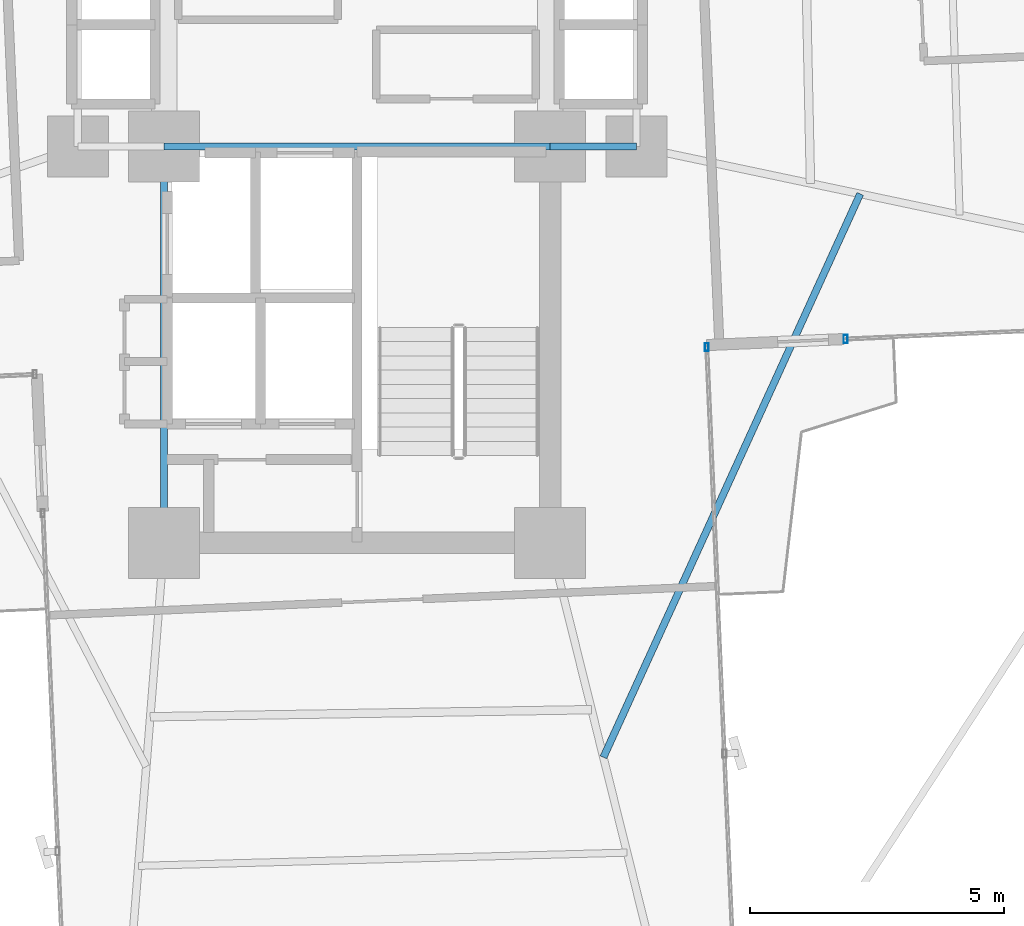
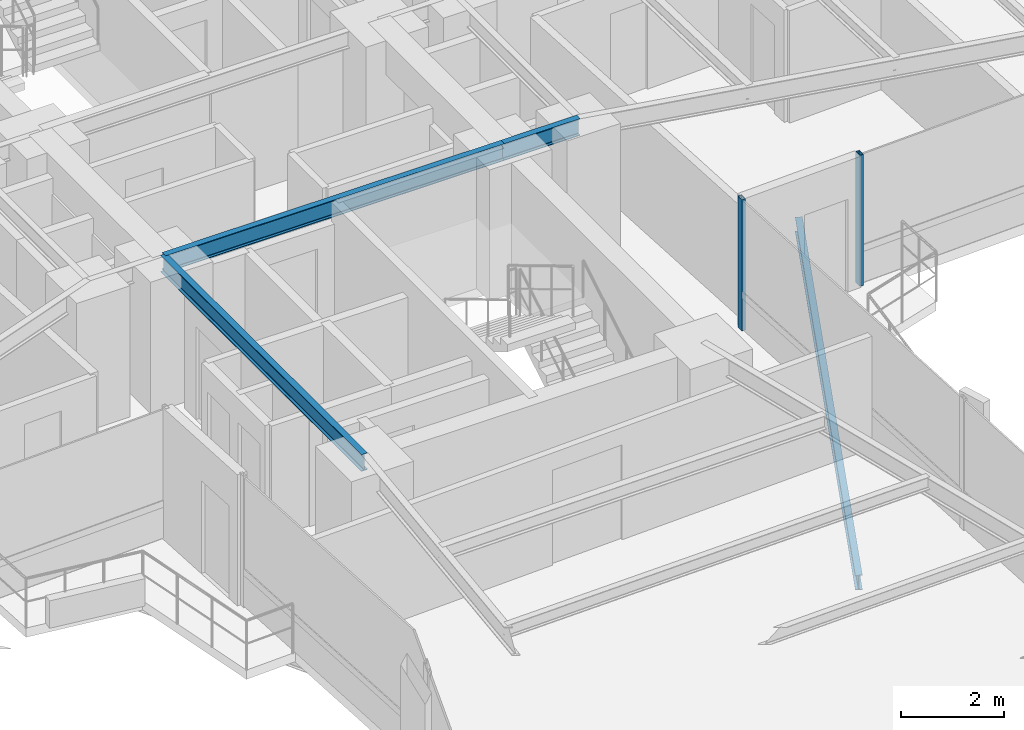
# One storey, part 11 of 26: 4 beams, 2 members, 2 elements without a shape of their own.
"""IFC4 building model written with IfcOpenShell, lengths in metres."""

from ifc_helpers import new_model, si_unit, direction, frame, origin, origin_2d, place, context, subcontext, project, spatial, hollow_rectangle, i_section, extrude, source, transform, mapped, material, material_profile, profile_set, type_object, element, aggregate, save


model = new_model("IFC4")

# Units and contexts
model_context = context("Model", 3, precision=1e-05, world=origin(), true_north=direction((0.0, 1.0)))
body_context = subcontext(model_context, "Body", "Model", "MODEL_VIEW")
ifc_project = project(units=[si_unit("LENGTHUNIT", "METRE"), si_unit("AREAUNIT", "SQUARE_METRE"), si_unit("VOLUMEUNIT", "CUBIC_METRE"), si_unit("PLANEANGLEUNIT", "RADIAN"), si_unit("MASSUNIT", "GRAM", prefix="KILO")], contexts=[model_context])

# Site, building, storey
site_placement = place(None, origin())
site = spatial("IfcSite", under=ifc_project, at=site_placement, CompositionType="ELEMENT")
building_placement = place(site_placement, origin())
building = spatial("IfcBuilding", under=site, at=building_placement, Name="Sahyath Konkavel Grand Hotel", CompositionType="ELEMENT")
storey_placement = place(building_placement, frame((0.0, 0.0, 131.550048828125)))
storey = spatial("IfcBuildingStorey", under=building, at=storey_placement, Name="L36", CompositionType="ELEMENT", Elevation=131.550048828125)

# Beams
ifc_material_1 = material(Name="Steel E350", Category="steel")
ifc_material_profile_1 = material_profile(ifc_material_1, i_section(OverallWidth=0.139892578125, OverallDepth=0.39990234375, WebThickness=0.0087890625, FlangeThickness=0.01611328125, FilletRadius=0.013916015625, at=origin_2d()), Name="ISMB 400")
ifc_profile_set_1 = profile_set([ifc_material_profile_1], Name="Steel E350")
beam_type_1 = type_object("IfcBeamType", Name="BM-ISMB400", PredefinedType="BEAM", material=ifc_profile_set_1)
shared_shape_1 = source(origin(), body_context, "Body", "SweptSolid", [
    extrude(i_section(OverallWidth=0.139892578125, OverallDepth=0.39990234375, WebThickness=0.0087890625, FlangeThickness=0.01611328125, FilletRadius=0.013916015625, at=origin_2d()), origin(), (0.0, 0.0, 1.0), 7.60009765625),
])
beam_1_placement = place(storey_placement, frame((-3.800048828125, -2.39990234375, 2.909912109375), z_axis=(1.0, 0.0, 0.0), x_axis=(0.0, 1.0, 0.0)))
element("IfcBeam", 1, at=beam_1_placement, inside=storey, type_object=beam_type_1, Name="str:bm:L36:SC-N", PredefinedType="BEAM", context=body_context, shape_type="MappedRepresentation", body=[
    mapped(shared_shape_1, transform((0.0, 0.0, 0.0), scale=1.0)),
])
shared_shape_2 = source(origin(), body_context, "Body", "SweptSolid", [
    extrude(i_section(OverallWidth=0.139892578125, OverallDepth=0.39990234375, WebThickness=0.0087890625, FlangeThickness=0.01611328125, FilletRadius=0.013916015625, at=origin_2d()), origin(), (0.0, 0.0, 1.0), 7.800048828125),
])
beam_2_placement = place(storey_placement, frame((-3.800048828125, -10.199951171875, 2.909912109375), z_axis=(0.0, 1.0, 0.0), x_axis=(-1.0, 0.0, 0.0)))
element("IfcBeam", 2, at=beam_2_placement, inside=storey, type_object=beam_type_1, Name="str:bm:L36:SC-W", PredefinedType="BEAM", context=body_context, shape_type="MappedRepresentation", body=[
    mapped(shared_shape_2, transform((0.0, 0.0, 0.0), scale=1.0)),
])
shared_shape_3 = source(origin(), body_context, "Body", "SweptSolid", [
    extrude(i_section(OverallWidth=0.139892578125, OverallDepth=0.39990234375, WebThickness=0.0087890625, FlangeThickness=0.01611328125, FilletRadius=0.013916015625, at=origin_2d()), origin(), (0.0, 0.0, 1.0), 1.699951171875),
])
beam_3_placement = place(storey_placement, frame((3.800048828125, -2.39990234375, 2.909912109375), z_axis=(1.0, 0.0, 0.0), x_axis=(0.0, 1.0, 0.0)))
element("IfcBeam", 3, at=beam_3_placement, inside=storey, type_object=beam_type_1, Name="str:bm:L36:HB-SE", PredefinedType="BEAM", context=body_context, shape_type="MappedRepresentation", body=[
    mapped(shared_shape_3, transform((0.0, 0.0, 0.0), scale=1.0)),
])

# Curtain wall, member
ifc_material_2 = material(Name="Anodised Bronze Aluminium & Low-E Glazing", Category="aluminium")
curtain_wall_type = type_object("IfcCurtainWallType", Name="CW-ZONE2", PredefinedType="NOTDEFINED", material=ifc_material_2)
curtain_wall_1_placement = place(storey_placement, origin())
curtain_wall_1 = element("IfcCurtainWall", 4, at=curtain_wall_1_placement, inside=storey, type_object=curtain_wall_type, Name="L36 Unitised Curtain Wall F0", PredefinedType="NOTDEFINED")
ifc_material_3 = material(Name="Anodised Bronze Aluminium", Category="aluminium")
ifc_material_profile_2 = material_profile(ifc_material_3, hollow_rectangle(XDim=0.080078125, YDim=0.159912109375, WallThickness=0.006103515625, at=origin_2d()), Name="RHS 160x80x6")
ifc_profile_set_2 = profile_set([ifc_material_profile_2], Name="Anodised Bronze Aluminium")
member_type = type_object("IfcMemberType", Name="CW-MUL-160", PredefinedType="MULLION", material=ifc_profile_set_2)
shared_shape_4 = source(origin(), body_context, "Body", "SweptSolid", [
    extrude(hollow_rectangle(XDim=0.080078125, YDim=0.159912109375, WallThickness=0.006103515625, at=origin_2d()), origin(), (0.0, 0.0, 1.0), 3.10986328125),
])
member_1_placement = place(storey_placement, frame((9.618896484375, -6.186279296875, 0.0), z_axis=(0.0, 0.0, 1.0), x_axis=(1.0, 0.0, 0.0)))
member_1 = element("IfcMember", 5, at=member_1_placement, type_object=member_type, Name="L36 Curtain Wall Mullion F0-0", PredefinedType="MULLION", context=body_context, shape_type="MappedRepresentation", body=[
    mapped(shared_shape_4, transform((0.0, 0.0, 0.0), scale=1.0)),
])
aggregate(curtain_wall_1, [member_1])

curtain_wall_2_placement = place(storey_placement, origin())
curtain_wall_2 = element("IfcCurtainWall", 6, at=curtain_wall_2_placement, inside=storey, type_object=curtain_wall_type, Name="L36 Unitised Curtain Wall F31", PredefinedType="NOTDEFINED")
member_2_placement = place(storey_placement, frame((6.88330078125, -6.345703125, 0.0), z_axis=(0.0, 0.0, 1.0), x_axis=(1.0, 0.0, 0.0)))
member_2 = element("IfcMember", 7, at=member_2_placement, type_object=member_type, Name="L36 Curtain Wall Mullion F31-2", PredefinedType="MULLION", context=body_context, shape_type="MappedRepresentation", body=[
    mapped(shared_shape_4, transform((0.0, 0.0, 0.0), scale=1.0)),
])
aggregate(curtain_wall_2, [member_2])

# Beam
ifc_material_profile_3 = material_profile(ifc_material_1, i_section(OverallWidth=0.139892578125, OverallDepth=0.35009765625, WebThickness=0.008056640625, FlangeThickness=0.01416015625, FilletRadius=0.013916015625, at=origin_2d()), Name="ISMB 350")
ifc_profile_set_3 = profile_set([ifc_material_profile_3], Name="Steel E350")
beam_type_2 = type_object("IfcBeamType", Name="BM-BALC-CANT", PredefinedType="BEAM", material=ifc_profile_set_3)
shared_shape_5 = source(origin(), body_context, "Body", "SweptSolid", [
    extrude(i_section(OverallWidth=0.139892578125, OverallDepth=0.35009765625, WebThickness=0.008056640625, FlangeThickness=0.01416015625, FilletRadius=0.013916015625, at=origin_2d()), origin(), (0.0, 0.0, 1.0), 12.190673828125),
])
beam_4_placement = place(storey_placement, frame((4.8486328125, -14.422119140625, -0.4150390625), z_axis=(0.414712580086, 0.909952458054, 0.0), x_axis=(-0.909952458054, 0.414712580086, 0.0)))
element("IfcBeam", 8, at=beam_4_placement, inside=storey, type_object=beam_type_2, Name="L36 Balcony Cantilever Support Beam SE", PredefinedType="BEAM", context=body_context, shape_type="MappedRepresentation", body=[
    mapped(shared_shape_5, transform((0.0, 0.0, 0.0), scale=1.0)),
])

save(model, "model.ifc")
